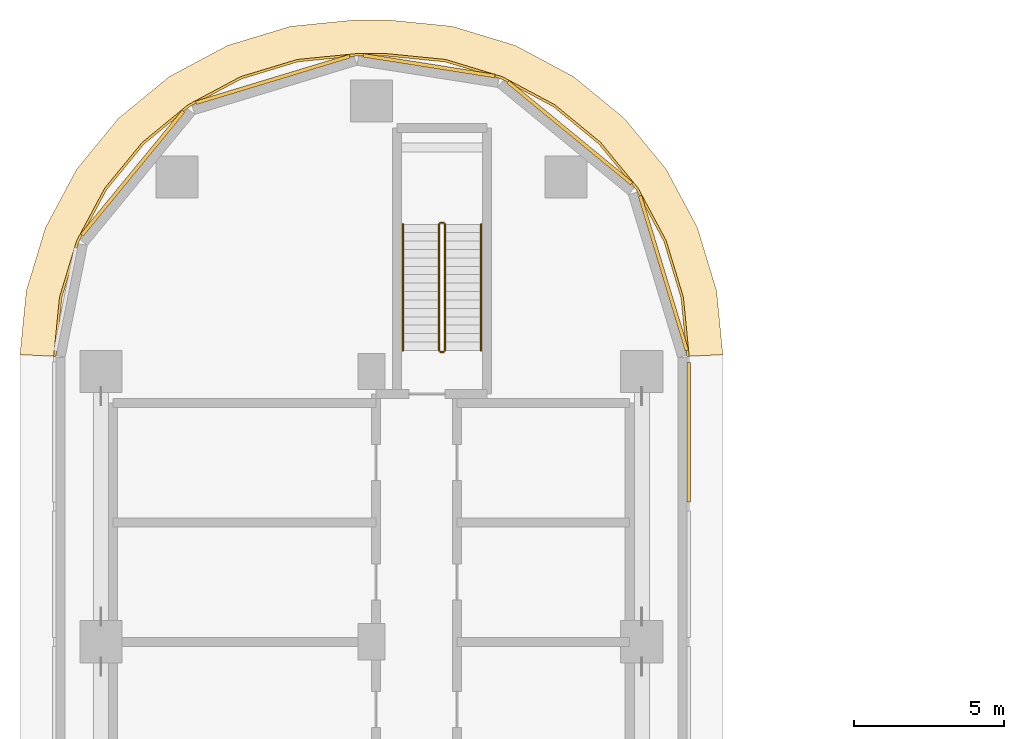
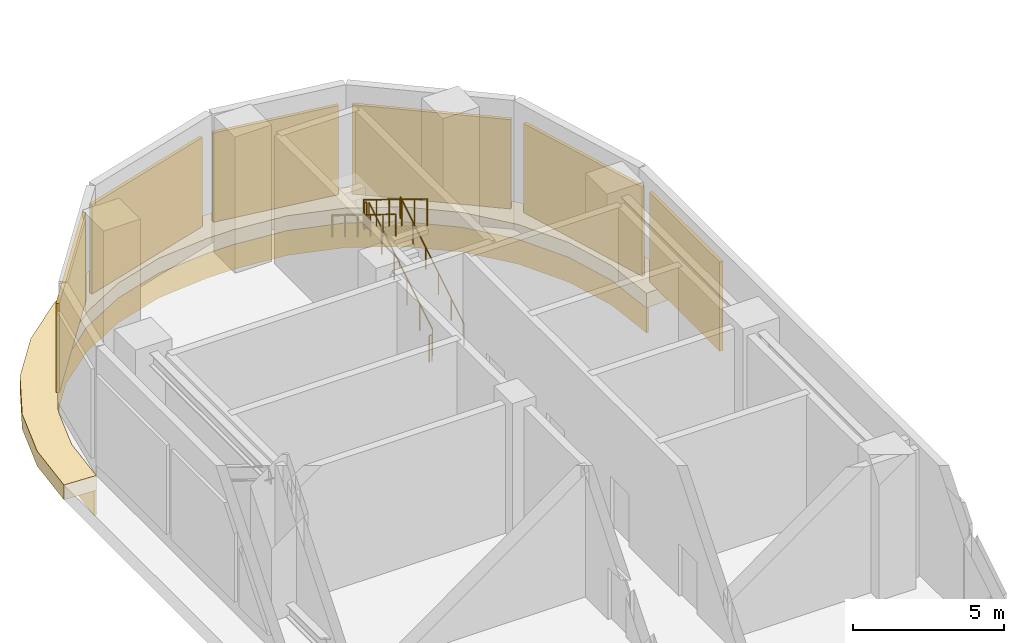
# One storey, part 20 of 23: 6 railings, 6 shading devices, 2 coverings.
"""IFC4 building model written with IfcOpenShell, lengths in metres."""

from ifc_helpers import new_model, si_unit, direction, frame, origin, origin_2d, place, context, subcontext, project, spatial, polyline, rectangle, circle, outline, extrude, material, layer, layer_set, type_object, element, save


model = new_model("IFC4")

# Units and contexts
model_context = context("Model", 3, precision=1e-05, world=origin(), true_north=direction((0.0, 1.0)))
body_context = subcontext(model_context, "Body", "Model", "MODEL_VIEW")
ifc_project = project(units=[si_unit("LENGTHUNIT", "METRE"), si_unit("AREAUNIT", "SQUARE_METRE"), si_unit("VOLUMEUNIT", "CUBIC_METRE"), si_unit("PLANEANGLEUNIT", "RADIAN"), si_unit("MASSUNIT", "GRAM", prefix="KILO")], contexts=[model_context])

# Site, building, storey
site_placement = place(None, origin())
site = spatial("IfcSite", under=ifc_project, at=site_placement, CompositionType="ELEMENT")
building_placement = place(site_placement, origin())
building = spatial("IfcBuilding", under=site, at=building_placement, Name="Ogive Portal Towers", CompositionType="ELEMENT")
storey_placement = place(building_placement, frame((0.0, 0.0, 81.60009765625)))
storey = spatial("IfcBuildingStorey", under=building, at=storey_placement, Name="L19", CompositionType="ELEMENT", Elevation=81.60009765625)

# Railings
ifc_material_1 = material(Name="Stainless steel balustrade", Category="steel")
railing_type_1 = type_object("IfcRailingType", Name="INT-GUARD", PredefinedType="GUARDRAIL", material=ifc_material_1)
railing_1_placement = place(storey_placement, frame((42.949951171875, 67.199951171875, 0.171875)))
element("IfcRailing", 1, at=railing_1_placement, inside=storey, type_object=railing_type_1, Name="L19 ST-A3 stair guard 1", PredefinedType="GUARDRAIL", context=body_context, shape_type="SweptSolid", body=[
    extrude(circle(Radius=0.02392578125, at=origin_2d()), frame((0.0, 0.0, 1.076171875), z_axis=(0.0, 0.852242915053, 0.523146264196), x_axis=(-1.0, 0.0, 0.0)), (0.0, 0.0, 1.0), 4.92822265625),
    extrude(circle(Radius=0.02099609375, at=origin_2d()), origin(), (0.0, 0.0, 1.0), 1.052001953125),
    extrude(circle(Radius=0.02099609375, at=origin_2d()), frame((0.0, 0.840087890625, 0.515625)), (0.0, 0.0, 1.0), 1.052001953125),
    extrude(circle(Radius=0.02099609375, at=origin_2d()), frame((0.0, 1.679931640625, 1.03125)), (0.0, 0.0, 1.0), 1.052001953125),
    extrude(circle(Radius=0.02099609375, at=origin_2d()), frame((0.0, 2.52001953125, 1.546875)), (0.0, 0.0, 1.0), 1.052001953125),
    extrude(circle(Radius=0.02099609375, at=origin_2d()), frame((0.0, 3.35986328125, 2.0625)), (0.0, 0.0, 1.0), 1.052001953125),
    extrude(circle(Radius=0.02099609375, at=origin_2d()), frame((0.0, 4.199951171875, 2.578125)), (0.0, 0.0, 1.0), 1.052001953125),
])
railing_2_placement = place(storey_placement, frame((42.89990234375, 71.449951171875, 2.75)))
element("IfcRailing", 2, at=railing_2_placement, inside=storey, type_object=railing_type_1, Name="L19 ST-A3 stair guard 2", PredefinedType="GUARDRAIL", context=body_context, shape_type="SweptSolid", body=[
    extrude(circle(Radius=0.02392578125, at=origin_2d()), frame((0.0, 0.0, 1.076171875), z_axis=(-1.0, 0.0, 0.0), x_axis=(0.0, -1.0, 0.0)), (0.0, 0.0, 1.0), 0.099853515625),
    extrude(circle(Radius=0.02099609375, at=origin_2d()), origin(), (0.0, 0.0, 1.0), 1.052001953125),
    extrude(circle(Radius=0.02099609375, at=origin_2d()), frame((-0.099853515625, 0.0, 0.0)), (0.0, 0.0, 1.0), 1.052001953125),
])
railing_3_placement = place(storey_placement, frame((42.75, 71.39990234375, 2.921875)))
element("IfcRailing", 3, at=railing_3_placement, inside=storey, type_object=railing_type_1, Name="L19 ST-A3 stair guard 3", PredefinedType="GUARDRAIL", context=body_context, shape_type="SweptSolid", body=[
    extrude(circle(Radius=0.02392578125, at=origin_2d()), frame((0.0, 0.0, 1.076171875), z_axis=(0.0, -0.852242915053, 0.523146264196), x_axis=(1.0, 0.0, 0.0)), (0.0, 0.0, 1.0), 4.92822265625),
    extrude(circle(Radius=0.02099609375, at=origin_2d()), origin(), (0.0, 0.0, 1.0), 1.052001953125),
    extrude(circle(Radius=0.02099609375, at=origin_2d()), frame((0.0, -0.840087890625, 0.515625)), (0.0, 0.0, 1.0), 1.052001953125),
    extrude(circle(Radius=0.02099609375, at=origin_2d()), frame((0.0, -1.679931640625, 1.03125)), (0.0, 0.0, 1.0), 1.052001953125),
    extrude(circle(Radius=0.02099609375, at=origin_2d()), frame((0.0, -2.52001953125, 1.546875)), (0.0, 0.0, 1.0), 1.052001953125),
    extrude(circle(Radius=0.02099609375, at=origin_2d()), frame((0.0, -3.35986328125, 2.0625)), (0.0, 0.0, 1.0), 1.052001953125),
    extrude(circle(Radius=0.02099609375, at=origin_2d()), frame((0.0, -4.199951171875, 2.578125)), (0.0, 0.0, 1.0), 1.052001953125),
])
railing_4_placement = place(storey_placement, frame((42.89990234375, 67.14990234375, 0.0)))
element("IfcRailing", 4, at=railing_4_placement, inside=storey, type_object=railing_type_1, Name="L19 ST-A3 stair guard 4", PredefinedType="GUARDRAIL", context=body_context, shape_type="SweptSolid", body=[
    extrude(circle(Radius=0.02392578125, at=origin_2d()), frame((0.0, 0.0, 1.076171875), z_axis=(-1.0, 0.0, 0.0), x_axis=(0.0, -1.0, 0.0)), (0.0, 0.0, 1.0), 0.099853515625),
    extrude(circle(Radius=0.02099609375, at=origin_2d()), origin(), (0.0, 0.0, 1.0), 1.052001953125),
    extrude(circle(Radius=0.02099609375, at=origin_2d()), frame((-0.099853515625, 0.0, 0.0)), (0.0, 0.0, 1.0), 1.052001953125),
])
ifc_material_2 = material(Name="Stainless steel handrail", Category="steel")
railing_type_2 = type_object("IfcRailingType", Name="INT-HANDRAIL", PredefinedType="HANDRAIL", material=ifc_material_2)
railing_5_placement = place(storey_placement, frame((44.14990234375, 67.199951171875, 0.171875)))
element("IfcRailing", 5, at=railing_5_placement, inside=storey, type_object=railing_type_2, Name="L19 ST-A3 stair handrail 1", PredefinedType="HANDRAIL", context=body_context, shape_type="SweptSolid", body=[
    extrude(circle(Radius=0.02392578125, at=origin_2d()), frame((0.0, 0.0, 0.8759765625), z_axis=(0.0, 0.852242915053, 0.523146264196), x_axis=(-1.0, 0.0, 0.0)), (0.0, 0.0, 1.0), 4.92822265625),
    extrude(circle(Radius=0.02099609375, at=origin_2d()), origin(), (0.0, 0.0, 1.0), 0.851806640625),
    extrude(circle(Radius=0.02099609375, at=origin_2d()), frame((0.0, 0.840087890625, 0.515625)), (0.0, 0.0, 1.0), 0.851806640625),
    extrude(circle(Radius=0.02099609375, at=origin_2d()), frame((0.0, 1.679931640625, 1.03125)), (0.0, 0.0, 1.0), 0.851806640625),
    extrude(circle(Radius=0.02099609375, at=origin_2d()), frame((0.0, 2.52001953125, 1.546875)), (0.0, 0.0, 1.0), 0.851806640625),
    extrude(circle(Radius=0.02099609375, at=origin_2d()), frame((0.0, 3.35986328125, 2.0625)), (0.0, 0.0, 1.0), 0.851806640625),
    extrude(circle(Radius=0.02099609375, at=origin_2d()), frame((0.0, 4.199951171875, 2.578125)), (0.0, 0.0, 1.0), 0.851806640625),
])
railing_6_placement = place(storey_placement, frame((41.550048828125, 71.39990234375, 2.921875)))
element("IfcRailing", 6, at=railing_6_placement, inside=storey, type_object=railing_type_2, Name="L19 ST-A3 stair handrail 2", PredefinedType="HANDRAIL", context=body_context, shape_type="SweptSolid", body=[
    extrude(circle(Radius=0.02392578125, at=origin_2d()), frame((0.0, 0.0, 0.8759765625), z_axis=(0.0, -0.852242915053, 0.523146264196), x_axis=(1.0, 0.0, 0.0)), (0.0, 0.0, 1.0), 4.92822265625),
    extrude(circle(Radius=0.02099609375, at=origin_2d()), origin(), (0.0, 0.0, 1.0), 0.851806640625),
    extrude(circle(Radius=0.02099609375, at=origin_2d()), frame((0.0, -0.840087890625, 0.515625)), (0.0, 0.0, 1.0), 0.851806640625),
    extrude(circle(Radius=0.02099609375, at=origin_2d()), frame((0.0, -1.679931640625, 1.03125)), (0.0, 0.0, 1.0), 0.851806640625),
    extrude(circle(Radius=0.02099609375, at=origin_2d()), frame((0.0, -2.52001953125, 1.546875)), (0.0, 0.0, 1.0), 0.851806640625),
    extrude(circle(Radius=0.02099609375, at=origin_2d()), frame((0.0, -3.35986328125, 2.0625)), (0.0, 0.0, 1.0), 0.851806640625),
    extrude(circle(Radius=0.02099609375, at=origin_2d()), frame((0.0, -4.199951171875, 2.578125)), (0.0, 0.0, 1.0), 0.851806640625),
])

# Shading devices
ifc_material_3 = material(Name="Aluminium 6063 anodised", Category="aluminium")
ifc_layer_1 = layer(ifc_material_3, 0.1201171875)
ifc_layer_set_1 = layer_set([ifc_layer_1], Name="LOUVRE BANK ALUMINIUM")
shading_device_type = type_object("IfcShadingDeviceType", Name="LOUVRE BANK ALUMINIUM", PredefinedType="USERDEFINED", material=ifc_layer_set_1)
shading_device_1_placement = place(storey_placement, frame((51.06005859375, 64.477783203125, 0.599853515625), z_axis=(0.0, 0.0, 1.0), x_axis=(0.0, 1.0, 0.0)))
element("IfcShadingDevice", 7, at=shading_device_1_placement, inside=storey, type_object=shading_device_type, Name="Louvre bank 5", ObjectType="LOUVRE", PredefinedType="USERDEFINED", context=body_context, shape_type="SweptSolid", body=[
    extrude(rectangle(XDim=4.655517578125, YDim=0.1201171875, at=origin_2d()), origin(), (0.0, 0.0, 1.0), 3.60009765625),
])
shading_device_2_placement = place(storey_placement, frame((50.221435546875, 69.77294921875, 0.599853515625), z_axis=(0.0, 0.0, 1.0), x_axis=(-0.290284677254, 0.956940335732, 0.0)))
element("IfcShadingDevice", 8, at=shading_device_2_placement, inside=storey, type_object=shading_device_type, Name="Louvre bank 1", ObjectType="LOUVRE", PredefinedType="USERDEFINED", context=body_context, shape_type="SweptSolid", body=[
    extrude(rectangle(XDim=5.3701171875, YDim=0.1201171875, at=origin_2d()), origin(), (0.0, 0.0, 1.0), 3.60009765625),
])
shading_device_3_placement = place(storey_placement, frame((47.105224609375, 74.446533203125, 0.599853515625), z_axis=(0.0, 0.0, 1.0), x_axis=(-0.773010453363, 0.634393284164, 0.0)))
element("IfcShadingDevice", 9, at=shading_device_3_placement, inside=storey, type_object=shading_device_type, Name="Louvre bank 1", ObjectType="LOUVRE", PredefinedType="USERDEFINED", context=body_context, shape_type="SweptSolid", body=[
    extrude(rectangle(XDim=5.333251953125, YDim=0.1201171875, at=origin_2d()), origin(), (0.0, 0.0, 1.0), 3.60009765625),
])
shading_device_4_placement = place(storey_placement, frame((42.41650390625, 76.6796875, 0.599853515625), z_axis=(0.0, 0.0, 1.0), x_axis=(-0.987792174992, 0.155777466355, 0.0)))
element("IfcShadingDevice", 10, at=shading_device_4_placement, inside=storey, type_object=shading_device_type, Name="Louvre bank 1", ObjectType="LOUVRE", PredefinedType="USERDEFINED", context=body_context, shape_type="SweptSolid", body=[
    extrude(rectangle(XDim=4.43603515625, YDim=0.1201171875, at=origin_2d()), origin(), (0.0, 0.0, 1.0), 3.60009765625),
])
shading_device_5_placement = place(storey_placement, frame((37.21533203125, 76.218017578125, 0.599853515625), z_axis=(0.0, 0.0, 1.0), x_axis=(-0.956940335732, -0.290284677254, 0.0)))
element("IfcShadingDevice", 11, at=shading_device_5_placement, inside=storey, type_object=shading_device_type, Name="Louvre bank 1", ObjectType="LOUVRE", PredefinedType="USERDEFINED", context=body_context, shape_type="SweptSolid", body=[
    extrude(rectangle(XDim=5.345947265625, YDim=0.1201171875, at=origin_2d()), origin(), (0.0, 0.0, 1.0), 3.60009765625),
])
shading_device_6_placement = place(storey_placement, frame((32.55126953125, 73.102783203125, 0.599853515625), z_axis=(0.0, 0.0, 1.0), x_axis=(-0.634393284164, -0.773010453363, 0.0)))
element("IfcShadingDevice", 12, at=shading_device_6_placement, inside=storey, type_object=shading_device_type, Name="Louvre bank 1", ObjectType="LOUVRE", PredefinedType="USERDEFINED", context=body_context, shape_type="SweptSolid", body=[
    extrude(rectangle(XDim=5.339599609375, YDim=0.1201171875, at=origin_2d()), origin(), (0.0, 0.0, 1.0), 3.60009765625),
])

# Coverings
ifc_material_4 = material(Name="Limestone cladding on lightweight block wall", Category="masonry")
ifc_layer_2 = layer(ifc_material_4, 0.080078125)
ifc_layer_set_2 = layer_set([ifc_layer_2], Name="STONE SPANDREL 80")
covering_type_1 = type_object("IfcCoveringType", Name="STONE SPANDREL 80", PredefinedType="CLADDING", material=ifc_layer_set_2)
covering_1_placement = place(storey_placement, frame((0.0, 0.0, -1.60009765625)))
element("IfcCovering", 13, at=covering_1_placement, inside=storey, type_object=covering_type_1, Name="Stone spandrel A1-F12", PredefinedType="CLADDING", context=body_context, shape_type="SweptSolid", body=[
    extrude(outline(polyline([(51.0, 67.0), (50.807861328125, 68.950927734375), (50.23876953125, 70.826904296875), (49.314697265625, 72.5556640625), (48.071044921875, 74.071044921875), (46.5556640625, 75.314697265625), (44.826904296875, 76.23876953125), (42.950927734375, 76.807861328125), (41.0, 77.0), (40.0, 77.0), (38.049072265625, 76.807861328125), (36.173095703125, 76.23876953125), (34.4443359375, 75.314697265625), (32.928955078125, 74.071044921875), (31.685302734375, 72.5556640625), (30.76123046875, 70.826904296875), (30.192138671875, 68.950927734375), (30.0, 67.0), (29.919921875, 67.00390625), (30.11328125, 68.966552734375), (30.68701171875, 70.857666015625), (31.618408203125, 72.600341796875), (32.8720703125, 74.1279296875), (34.399658203125, 75.381591796875), (36.142333984375, 76.31298828125), (38.033447265625, 76.88671875), (39.99609375, 77.080078125), (41.00390625, 77.080078125), (42.966552734375, 76.88671875), (44.857666015625, 76.31298828125), (46.600341796875, 75.381591796875), (48.1279296875, 74.1279296875), (49.381591796875, 72.600341796875), (50.31298828125, 70.857666015625), (50.88671875, 68.966552734375), (51.080078125, 67.00390625), (51.0, 67.0)])), origin(), (0.0, 0.0, 1.0), 1.0),
])
ifc_layer_3 = layer(ifc_material_4, 0.60009765625)
ifc_layer_set_3 = layer_set([ifc_layer_3], Name="SUNSHADE LIP 600")
covering_type_2 = type_object("IfcCoveringType", Name="SUNSHADE LIP 600", PredefinedType="CLADDING", material=ifc_layer_set_3)
covering_2_placement = place(storey_placement, frame((0.0, 0.0, -0.60009765625)))
element("IfcCovering", 14, at=covering_2_placement, inside=storey, type_object=covering_type_2, Name="Sunshade lip A1-F12", PredefinedType="CLADDING", context=body_context, shape_type="SweptSolid", body=[
    extrude(outline(polyline([(51.0, 67.0), (50.807861328125, 68.950927734375), (50.23876953125, 70.826904296875), (49.314697265625, 72.5556640625), (48.071044921875, 74.071044921875), (46.5556640625, 75.314697265625), (44.826904296875, 76.23876953125), (42.950927734375, 76.807861328125), (41.0, 77.0), (40.0, 77.0), (38.049072265625, 76.807861328125), (36.173095703125, 76.23876953125), (34.4443359375, 75.314697265625), (32.928955078125, 74.071044921875), (31.685302734375, 72.5556640625), (30.76123046875, 70.826904296875), (30.192138671875, 68.950927734375), (30.0, 67.0), (28.800048828125, 67.058837890625), (29.009521484375, 69.18603515625), (29.647216796875, 71.288330078125), (30.6826171875, 73.2255859375), (32.076416015625, 74.923583984375), (33.7744140625, 76.3173828125), (35.711669921875, 77.352783203125), (37.81396484375, 77.990478515625), (39.941162109375, 78.199951171875), (41.058837890625, 78.199951171875), (43.18603515625, 77.990478515625), (45.288330078125, 77.352783203125), (47.2255859375, 76.3173828125), (48.923583984375, 74.923583984375), (50.3173828125, 73.2255859375), (51.352783203125, 71.288330078125), (51.990478515625, 69.18603515625), (52.199951171875, 67.058837890625), (51.0, 67.0)])), origin(), (0.0, 0.0, 1.0), 0.60009765625),
])

save(model, "model.ifc")
